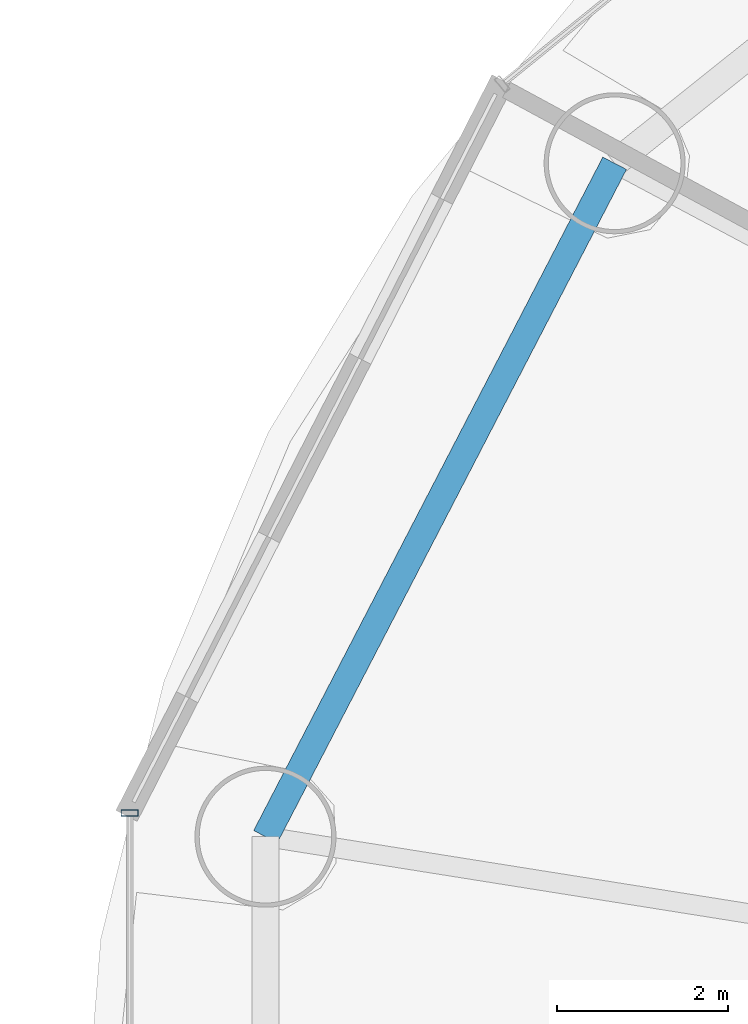
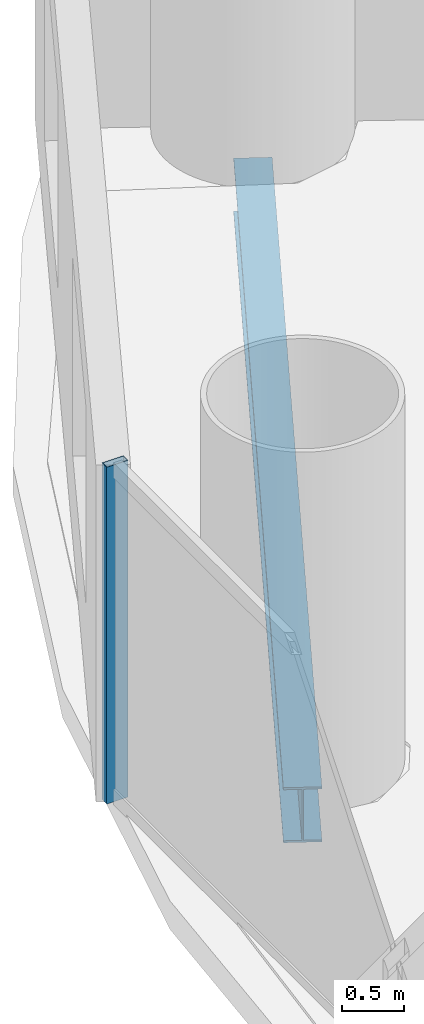
# One storey, part 8 of 29: 1 beam, 1 member, 1 element without a shape of its own.
"""IFC4 building model written with IfcOpenShell, lengths in metres."""

from ifc_helpers import new_model, si_unit, direction, frame, origin, origin_2d, place, context, subcontext, project, spatial, hollow_rectangle, i_section, extrude, source, transform, mapped, material, material_profile, profile_set, type_object, element, aggregate, save


model = new_model("IFC4")

# Units and contexts
model_context = context("Model", 3, precision=1e-05, world=origin(), true_north=direction((-0.2419218956, 0.970295726276)))
body_context = subcontext(model_context, "Body", "Model", "MODEL_VIEW")
ifc_project = project(units=[si_unit("LENGTHUNIT", "METRE"), si_unit("AREAUNIT", "SQUARE_METRE"), si_unit("VOLUMEUNIT", "CUBIC_METRE"), si_unit("PLANEANGLEUNIT", "RADIAN"), si_unit("MASSUNIT", "GRAM", prefix="KILO")], contexts=[model_context])

# Site, building, storey
site_placement = place(None, origin())
site = spatial("IfcSite", under=ifc_project, at=site_placement, CompositionType="ELEMENT")
building_placement = place(site_placement, origin())
building = spatial("IfcBuilding", under=site, at=building_placement, Name="Cobrevalo Terracotta Tower", CompositionType="ELEMENT")
storey_placement = place(building_placement, frame((0.0, 0.0, 45.60009765625)))
storey = spatial("IfcBuildingStorey", under=building, at=storey_placement, Name="L11", CompositionType="ELEMENT", Elevation=45.60009765625)

# Beam
ifc_material_1 = material(Name="Steel S355", Category="steel")
ifc_material_profile_1 = material_profile(ifc_material_1, i_section(OverallWidth=0.31201171875, OverallDepth=0.54296875, WebThickness=0.0126953125, FlangeThickness=0.020263671875, at=origin_2d()), Name="W 530x150")
ifc_profile_set_1 = profile_set([ifc_material_profile_1], Name="Steel S355")
beam_type = type_object("IfcBeamType", Name="Structural Spandrel W 530x150 (Steel S355)", PredefinedType="SPANDREL", material=ifc_profile_set_1)
beam_placement = place(storey_placement, frame((15.25927734375, 38.939208984375, -0.551513671875), z_axis=(-0.460285838799, -0.88777077368, 0.0), x_axis=(0.88777077368, -0.460285838799, 0.0)))
element("IfcBeam", 1, at=beam_placement, inside=storey, type_object=beam_type, Name="L11 perimeter ring spandrel 07", PredefinedType="SPANDREL", context=body_context, shape_type="SweptSolid", body=[
    extrude(i_section(OverallWidth=0.31201171875, OverallDepth=0.54296875, WebThickness=0.0126953125, FlangeThickness=0.020263671875, at=origin_2d()), origin(), (0.0, 0.0, 1.0), 8.8720703125),
])

# Curtain wall, member
ifc_material_2 = material(Name="Anodized aluminium", Category="aluminium")
curtain_wall_type = type_object("IfcCurtainWallType", Name="Lower-tower unitised acoustic low-E curtain wall CW-U1", PredefinedType="NOTDEFINED", material=ifc_material_2)
curtain_wall_placement = place(storey_placement, origin())
curtain_wall = element("IfcCurtainWall", 2, at=curtain_wall_placement, inside=storey, type_object=curtain_wall_type, Name="L11 curtain wall CW-L11-S08", PredefinedType="NOTDEFINED")
ifc_material_profile_2 = material_profile(ifc_material_2, hollow_rectangle(XDim=0.074951171875, YDim=0.199951171875, WallThickness=0.0048828125, at=origin_2d()), Name="CWM 75x200")
ifc_profile_set_2 = profile_set([ifc_material_profile_2], Name="Anodized aluminium")
member_type = type_object("IfcMemberType", Name="Lower/mid tower unitised mullion 75x200", PredefinedType="MULLION", material=ifc_profile_set_2)
shared_shape = source(origin(), body_context, "Body", "SweptSolid", [
    extrude(hollow_rectangle(XDim=0.074951171875, YDim=0.199951171875, WallThickness=0.0048828125, at=origin_2d()), origin(), (0.0, 0.0, 1.0), 3.31982421875),
])
member_placement = place(storey_placement, frame((9.586669921875, 31.3388671875, 0.0), z_axis=(0.0, 0.0, 1.0), x_axis=(0.0, -1.0, 0.0)))
member = element("IfcMember", 3, at=member_placement, type_object=member_type, Name="CW-L11-S08 vertical mullion 01", PredefinedType="MULLION", context=body_context, shape_type="MappedRepresentation", body=[
    mapped(shared_shape, transform((0.0, 0.0, 0.0), scale=1.0)),
])
aggregate(curtain_wall, [member])

save(model, "model.ifc")
